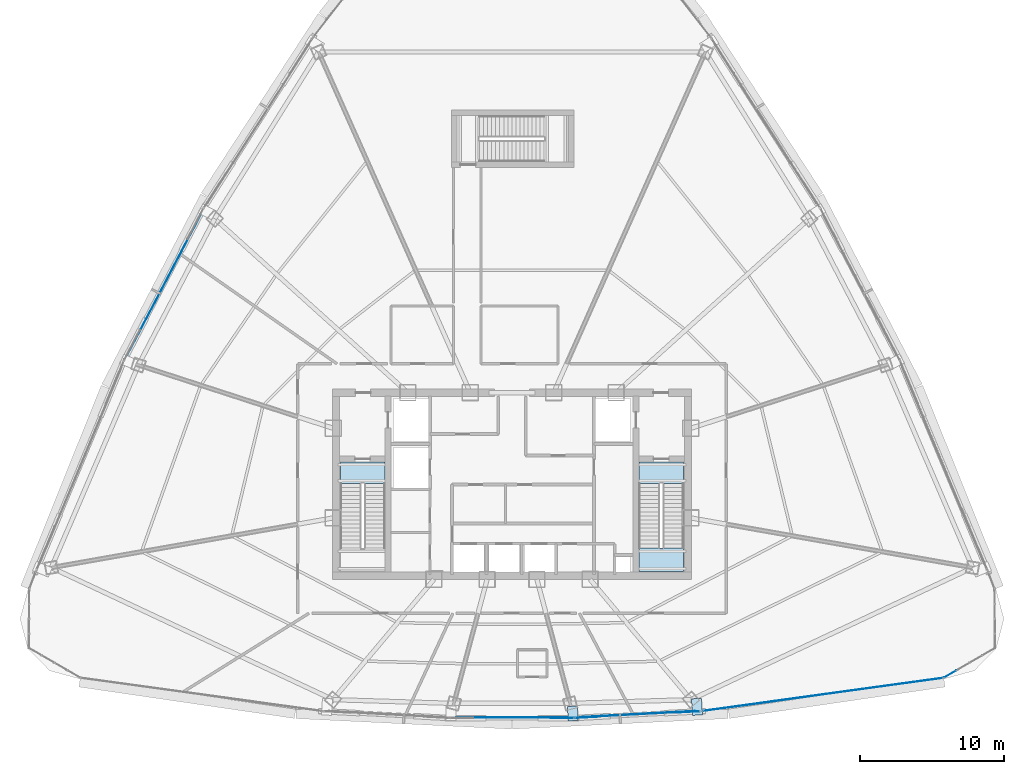
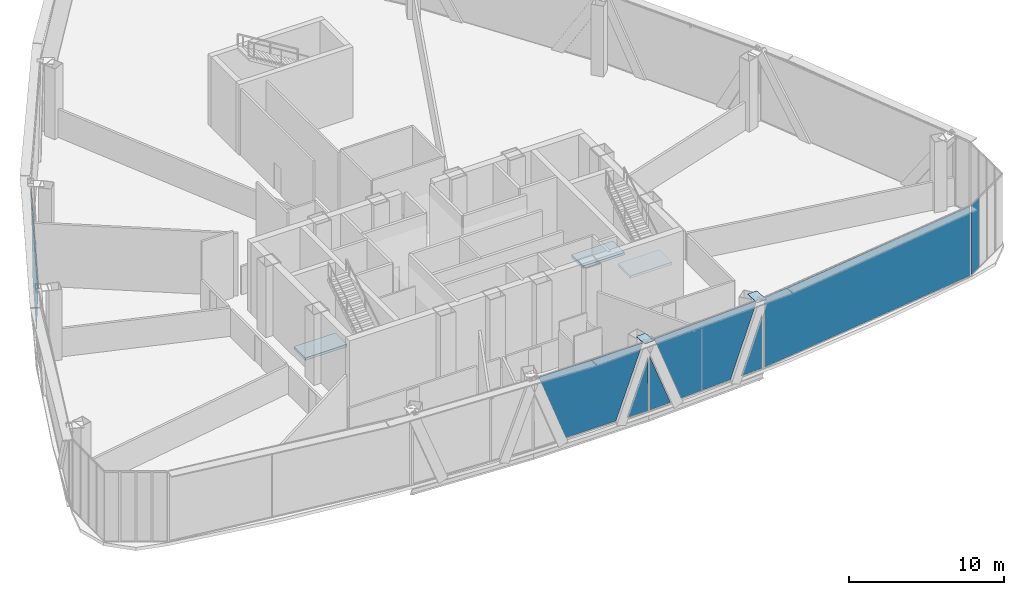
# One storey, part 29 of 38: 10 plates, 3 slabs, 7 elements without a shape of their own.
"""IFC4 building model written with IfcOpenShell, lengths in metres."""

import ifcopenshell
import ifcopenshell.guid

model = None  # the IFC model being written
_history = None  # IfcOwnerHistory: only IFC2X3 demands one
_inside = {}  # id of a spatial element -> (the spatial element, [elements in it])
_under = {}  # id of a project, library or spatial element -> (it, [spatial elements below it])
_declared = {}  # id of a project -> (the project, [libraries it declares])
_typed = {}  # id of a type object -> (the type object, [elements of that type])
_made_of = {}  # id of a material, layer set ... -> (it, [elements and type objects made of it])


def new_model(schema):
    """Start an empty IFC model of exactly this schema.

    Asked for "IFC4X3", IfcOpenShell would pick the latest addendum, in which some entities
    have other attributes; the version numbers below select the first issue.
    IFC2X3 requires an IfcOwnerHistory on every rooted entity: one is made here for all.
    """
    global model, _history
    if schema == "IFC4X3":
        model = ifcopenshell.file(schema_version=(4, 3, 0, 0))
    else:
        model = ifcopenshell.file(schema=schema)
    _inside.clear()
    _under.clear()
    _declared.clear()
    _typed.clear()
    _made_of.clear()
    _history = None
    if model.schema == "IFC2X3":
        org = make("IfcOrganization", Name="unknown")
        user = make(
            "IfcPersonAndOrganization",
            ThePerson=make("IfcPerson", FamilyName="unknown"),
            TheOrganization=org,
        )
        app = make(
            "IfcApplication",
            ApplicationDeveloper=org,
            Version="unknown",
            ApplicationFullName="unknown",
            ApplicationIdentifier="unknown",
        )
        _history = make(
            "IfcOwnerHistory",
            OwningUser=user,
            OwningApplication=app,
            ChangeAction="ADDED",
            CreationDate=0,
        )
    return model


def make(cls, **values):
    """One entity of the class cls with the attributes given. An attribute that is None is left unset."""
    return model.create_entity(
        cls, **{name: value for name, value in values.items() if value is not None}
    )


def rooted(cls, **values):
    """An entity with a GlobalId (a new one), such as an element, a storey or a relation."""
    return make(cls, GlobalId=ifcopenshell.guid.new(), OwnerHistory=_history, **values)


def si_unit(unit_type, name, prefix=None):
    """IfcSIUnit, for example si_unit("LENGTHUNIT", "METRE", prefix="MILLI")."""
    return make("IfcSIUnit", UnitType=unit_type, Prefix=prefix, Name=name)


def assignment(units):
    """IfcUnitAssignment: the units of a project."""
    return None if units is None else make("IfcUnitAssignment", Units=units)


def point(xyz):
    """IfcCartesianPoint."""
    return None if xyz is None else make("IfcCartesianPoint", Coordinates=xyz)


def direction(xyz):
    """IfcDirection."""
    return None if xyz is None else make("IfcDirection", DirectionRatios=xyz)


def frame(location, z_axis=None, x_axis=None):
    """IfcAxis2Placement3D, a coordinate frame: its origin and axes. An axis left out is left unset."""
    return make(
        "IfcAxis2Placement3D",
        Location=point(location),
        Axis=direction(z_axis),
        RefDirection=direction(x_axis),
    )


def frame_2d(location, x_axis=None):
    """IfcAxis2Placement2D, a coordinate frame in the plane: its origin and x axis."""
    return make(
        "IfcAxis2Placement2D", Location=point(location), RefDirection=direction(x_axis)
    )


def origin():
    """The frame at (0, 0, 0) with its axes left unset."""
    return frame((0.0, 0.0, 0.0))


def origin_2d():
    """The frame at (0, 0) in the plane with its x axis left unset."""
    return frame_2d((0.0, 0.0))


def place(relative_to, where):
    """IfcLocalPlacement: puts the frame where relative to a parent placement (None: the world)."""
    return make(
        "IfcLocalPlacement", PlacementRelTo=relative_to, RelativePlacement=where
    )


def context(
    kind, dimensions, precision=None, world=None, true_north=None, identifier=None
):
    """IfcGeometricRepresentationContext, for example the 3D "Model" context."""
    return make(
        "IfcGeometricRepresentationContext",
        ContextIdentifier=identifier,
        ContextType=kind,
        CoordinateSpaceDimension=dimensions,
        Precision=precision,
        WorldCoordinateSystem=world,
        TrueNorth=true_north,
    )


def subcontext(parent, identifier, kind, view, scale=None):
    """IfcGeometricRepresentationSubContext, for example "Body" below "Model"."""
    return make(
        "IfcGeometricRepresentationSubContext",
        ContextIdentifier=identifier,
        ContextType=kind,
        ParentContext=parent,
        TargetScale=scale,
        TargetView=view,
    )


def project(units=None, contexts=None):
    """IfcProject with its units and contexts."""
    return rooted(
        "IfcProject",
        Name="project",
        RepresentationContexts=contexts,
        UnitsInContext=assignment(units),
    )


def spatial(cls, under=None, at=None, **own):
    """A site, building, storey or space (cls), placed at a placement, below another one or the project."""
    s = rooted(cls, ObjectPlacement=at, **own)
    if under is not None:
        _under.setdefault(under.id(), (under, []))[1].append(s)
    return s


def polyline(points):
    """IfcPolyline through the points."""
    return make("IfcPolyline", Points=[point(p) for p in points])


def profile(cls, at=None, kind="AREA", **sizes):
    """A parametric profile (cls). Its sizes go by their IFC names, for example OverallWidth=200.0."""
    return make(cls, ProfileType=kind, Position=at, **sizes)


def rectangle(**sizes):
    """IfcRectangleProfileDef."""
    return profile("IfcRectangleProfileDef", **sizes)


def outline(outer, holes=None, kind="AREA"):
    """IfcArbitraryClosedProfileDef: a profile drawn as a closed curve; with holes, ...WithVoids."""
    if holes is None:
        return make("IfcArbitraryClosedProfileDef", ProfileType=kind, OuterCurve=outer)
    return make(
        "IfcArbitraryProfileDefWithVoids",
        ProfileType=kind,
        OuterCurve=outer,
        InnerCurves=holes,
    )


def extrude(swept, where, along, depth):
    """IfcExtrudedAreaSolid: the profile swept, set in the frame where, extruded along a direction by depth."""
    return make(
        "IfcExtrudedAreaSolid",
        SweptArea=swept,
        Position=where,
        ExtrudedDirection=direction(along),
        Depth=depth,
    )


def shape(context_of_items, identifier, shape_type, items):
    """IfcShapeRepresentation: the items that make up one representation, for example the "Body"."""
    return make(
        "IfcShapeRepresentation",
        ContextOfItems=context_of_items,
        RepresentationIdentifier=identifier,
        RepresentationType=shape_type,
        Items=items,
    )


def source(mapping_origin, context_of_items, identifier, shape_type, items):
    """IfcRepresentationMap: a shape defined once, which mapped items show again and again."""
    return make(
        "IfcRepresentationMap",
        MappingOrigin=mapping_origin,
        MappedRepresentation=shape(context_of_items, identifier, shape_type, items),
    )


def transform(
    local_origin,
    x_axis=None,
    y_axis=None,
    z_axis=None,
    scale=None,
    scale2=None,
    scale3=None,
    uniform=True,
):
    """IfcCartesianTransformationOperator3D, or its non-uniform kind. x_axis, y_axis, z_axis: its Axis1, 2, 3."""
    if uniform:
        return make(
            "IfcCartesianTransformationOperator3D",
            Axis1=direction(x_axis),
            Axis2=direction(y_axis),
            LocalOrigin=point(local_origin),
            Scale=scale,
            Axis3=direction(z_axis),
        )
    return make(
        "IfcCartesianTransformationOperator3DnonUniform",
        Axis1=direction(x_axis),
        Axis2=direction(y_axis),
        LocalOrigin=point(local_origin),
        Scale=scale,
        Axis3=direction(z_axis),
        Scale2=scale2,
        Scale3=scale3,
    )


def mapped(mapping_source, mapping_target):
    """IfcMappedItem: shows the shape of a source again, moved by a transform."""
    return make(
        "IfcMappedItem", MappingSource=mapping_source, MappingTarget=mapping_target
    )


def material(Name=None, Category=None):
    """IfcMaterial."""
    return make("IfcMaterial", Name=Name, Category=Category)


def layer(
    of_material, thickness, ventilated=None, Name=None, Category=None, Priority=None
):
    """IfcMaterialLayer: one layer of a wall or slab, of a material (None: an air gap)."""
    return make(
        "IfcMaterialLayer",
        Material=of_material,
        LayerThickness=thickness,
        IsVentilated=ventilated,
        Name=Name,
        Category=Category,
        Priority=Priority,
    )


def layer_set(layers, Name=None):
    """IfcMaterialLayerSet."""
    return make("IfcMaterialLayerSet", MaterialLayers=layers, LayerSetName=Name)


def made_of(thing, what):
    """Note that an element or type object is made of a material, layer set ...; save() writes the relation."""
    if what is not None:
        _made_of.setdefault(what.id(), (what, []))[1].append(thing)
    return thing


def type_object(cls, material=None, **own):
    """A type object (cls), such as IfcWallType, which elements share."""
    return made_of(rooted(cls, **own), material)


def element(
    cls,
    number,
    at=None,
    inside=None,
    cuts=None,
    type_object=None,
    material=None,
    context=None,
    identifier="Body",
    shape_type=None,
    held_by="IfcProductDefinitionShape",
    body=None,
    shapes=None,
    **own,
):
    """One element of the class cls, such as IfcWall. Its Tag is "e" and its number.

    at: its placement. inside: the storey or other place that contains it. cuts: it is an
    opening in that element (IfcRelVoidsElement). A single representation is given by context,
    identifier, shape_type and body (its items); several are given by shapes. held_by: the class
    of the entity that holds the representations. save() writes the other relations.
    """
    e = rooted(cls, Tag="e%d" % number, ObjectPlacement=at, **own)
    if body is not None:
        shapes = [shape(context, identifier, shape_type, body)]
    if shapes is not None:
        e.Representation = make(held_by, Representations=shapes)
    if inside is not None:
        _inside.setdefault(inside.id(), (inside, []))[1].append(e)
    if cuts is not None:
        rooted(
            "IfcRelVoidsElement", RelatingBuildingElement=cuts, RelatedOpeningElement=e
        )
    if type_object is not None:
        _typed.setdefault(type_object.id(), (type_object, []))[1].append(e)
    return made_of(e, material)


def aggregate(whole, parts):
    """IfcRelAggregates: a whole, such as a stair, and the parts it consists of."""
    return rooted("IfcRelAggregates", RelatingObject=whole, RelatedObjects=parts)


def save(model, path):
    """Write the relations noted so far, then the file.

    IfcRelAggregates (storeys below a building ...), IfcRelContainedInSpatialStructure (elements
    in a storey), IfcRelDefinesByType, IfcRelAssociatesMaterial and IfcRelDeclares: one each for
    every whole, place, type object, material and project.
    """
    for whole, parts in _under.values():
        aggregate(whole, parts)
    for where, things in _inside.values():
        rooted(
            "IfcRelContainedInSpatialStructure",
            RelatedElements=things,
            RelatingStructure=where,
        )
    for kind, things in _typed.values():
        rooted("IfcRelDefinesByType", RelatedObjects=things, RelatingType=kind)
    for what, things in _made_of.values():
        rooted("IfcRelAssociatesMaterial", RelatedObjects=things, RelatingMaterial=what)
    for by, libraries in _declared.values():
        rooted("IfcRelDeclares", RelatingContext=by, RelatedDefinitions=libraries)
    model.write(path)


model = new_model("IFC4")

# Units and contexts
model_context = context("Model", 3, precision=1e-05, world=origin(), true_north=direction((0.0, 1.0)))
body_context = subcontext(model_context, "Body", "Model", "MODEL_VIEW")
ifc_project = project(units=[si_unit("LENGTHUNIT", "METRE"), si_unit("AREAUNIT", "SQUARE_METRE"), si_unit("VOLUMEUNIT", "CUBIC_METRE"), si_unit("PLANEANGLEUNIT", "RADIAN"), si_unit("MASSUNIT", "GRAM", prefix="KILO"), si_unit("THERMODYNAMICTEMPERATUREUNIT", "KELVIN"), si_unit("POWERUNIT", "WATT")], contexts=[model_context])

# Site, building, storey
site_placement = place(None, origin())
site = spatial("IfcSite", under=ifc_project, at=site_placement, CompositionType="ELEMENT")
building_placement = place(site_placement, origin())
building = spatial("IfcBuilding", under=site, at=building_placement, Name="Yunzhuo Pagoda Commons", CompositionType="ELEMENT")
storey_placement = place(building_placement, frame((0.0, 0.0, 266.909912109375)))
storey = spatial("IfcBuildingStorey", under=building, at=storey_placement, Name="L67", CompositionType="ELEMENT", Elevation=266.909912109375)

# Curtain wall, plates
ifc_material_1 = material(Name="Anodized aluminium 6063-T6", Category="aluminium")
ifc_layer_1 = layer(ifc_material_1, 0.139892578125)
ifc_layer_set_1 = layer_set([ifc_layer_1], Name="Anodized aluminium 6063-T6")
curtain_wall_type_1 = type_object("IfcCurtainWallType", Name="CW-HI High-Zone Ribbon Curtain Wall", PredefinedType="NOTDEFINED", material=ifc_layer_set_1)
curtain_wall_1_placement = place(storey_placement, origin())
curtain_wall_1 = element("IfcCurtainWall", 1, at=curtain_wall_1_placement, inside=storey, type_object=curtain_wall_type_1, Name="L67 curtain wall CW-L67-F1B3", PredefinedType="NOTDEFINED")
ifc_material_2 = material(Name="Tempered low-e double glazing", Category="glass")
ifc_layer_2 = layer(ifc_material_2, 0.02587890625)
ifc_layer_set_2 = layer_set([ifc_layer_2], Name="Tempered low-e double glazing")
plate_type_1 = type_object("IfcPlateType", Name="CW-HI-P Low-E Double Glazing 26", PredefinedType="CURTAIN_PANEL", material=ifc_layer_set_2)
plate_1_placement = place(storey_placement, frame((48.0, 17.68359375, 2.78515625), z_axis=(0.0, -1.0, 0.0), x_axis=(1.0, 0.0, 0.0)))
plate_1 = element("IfcPlate", 2, at=plate_1_placement, type_object=plate_type_1, Name="CW panel 1.1 lite 2", PredefinedType="CURTAIN_PANEL", context=body_context, shape_type="SweptSolid", body=[
    extrude(outline(polyline([(-3.8779296875, 2.72998046875), (-1.86279296875, -2.72998046875), (1.86279296875, -2.72998046875), (3.8779296875, 2.72998046875), (-3.8779296875, 2.72998046875)])), origin(), (0.0, 0.0, 1.0), 0.028076171875),
])
plate_2_placement = place(storey_placement, frame((51.458251953125, 17.65380859375, 2.182373046875), z_axis=(0.0, -1.0, 0.0), x_axis=(1.0, 0.0, 0.0)))
plate_2 = element("IfcPlate", 3, at=plate_2_placement, type_object=plate_type_1, Name="CW panel 1.1 lite 3", PredefinedType="CURTAIN_PANEL", context=body_context, shape_type="SweptSolid", body=[
    extrude(outline(polyline([(-0.78515625, -2.12744140625), (0.78515625, -2.12744140625), (0.78515625, 2.12744140625), (-0.78515625, -2.12744140625)])), origin(), (0.0, 0.0, 1.0), 0.028076171875),
])
aggregate(curtain_wall_1, [plate_1, plate_2])

curtain_wall_2_placement = place(storey_placement, origin())
curtain_wall_2 = element("IfcCurtainWall", 4, at=curtain_wall_2_placement, inside=storey, type_object=curtain_wall_type_1, Name="L67 curtain wall CW-L67-F1B4", PredefinedType="NOTDEFINED")
plate_3_placement = place(storey_placement, frame((53.167724609375, 17.699951171875, 2.1943359375), z_axis=(0.053427477858, -0.998571732331, 0.0), x_axis=(0.998571732331, 0.053427477858, 0.0)))
plate_3 = element("IfcPlate", 5, at=plate_3_placement, type_object=plate_type_1, Name="CW panel 1.1 lite 1", PredefinedType="CURTAIN_PANEL", context=body_context, shape_type="SweptSolid", body=[
    extrude(outline(polyline([(-0.806396484375, -2.139404296875), (0.806396484375, -2.139404296875), (-0.806396484375, 2.139404296875), (-0.806396484375, -2.139404296875)])), origin(), (0.0, 0.0, 1.0), 0.028076171875),
])
plate_4_placement = place(storey_placement, frame((56.6904296875, 17.91845703125, 2.78515625), z_axis=(0.053427477858, -0.998571732331, 0.0), x_axis=(0.998571732331, 0.053427477858, 0.0)))
plate_4 = element("IfcPlate", 6, at=plate_4_placement, type_object=plate_type_1, Name="CW panel 1.1 lite 2", PredefinedType="CURTAIN_PANEL", context=body_context, shape_type="SweptSolid", body=[
    extrude(outline(polyline([(-3.96875, 2.72998046875), (-1.910400390625, -2.72998046875), (1.910400390625, -2.72998046875), (3.96875, 2.72998046875), (-3.96875, 2.72998046875)])), origin(), (0.0, 0.0, 1.0), 0.028076171875),
])
plate_5_placement = place(storey_placement, frame((60.216064453125, 18.076904296875, 2.1943359375), z_axis=(0.053427477858, -0.998571732331, 0.0), x_axis=(0.998571732331, 0.053427477858, 0.0)))
plate_5 = element("IfcPlate", 7, at=plate_5_placement, type_object=plate_type_1, Name="CW panel 1.1 lite 3", PredefinedType="CURTAIN_PANEL", context=body_context, shape_type="SweptSolid", body=[
    extrude(outline(polyline([(-0.806396484375, -2.139404296875), (0.806396484375, -2.139404296875), (0.806396484375, 2.139404296875), (-0.806396484375, -2.139404296875)])), origin(), (0.0, 0.0, 1.0), 0.028076171875),
])
aggregate(curtain_wall_2, [plate_3, plate_4, plate_5])

# Curtain wall, plate
curtain_wall_3_placement = place(storey_placement, origin())
curtain_wall_3 = element("IfcCurtainWall", 8, at=curtain_wall_3_placement, inside=storey, type_object=curtain_wall_type_1, Name="L67 curtain wall CW-L67-F3B3", PredefinedType="NOTDEFINED")
plate_6_placement = place(storey_placement, frame((23.894287109375, 47.679931640625, 2.78515625), z_axis=(-0.886066126675, 0.46355886267, 0.0), x_axis=(-0.46355886267, -0.886066126675, 0.0)))
plate_6 = element("IfcPlate", 9, at=plate_6_placement, type_object=plate_type_1, Name="CW panel 1.1 lite 2", PredefinedType="CURTAIN_PANEL", context=body_context, shape_type="SweptSolid", body=[
    extrude(outline(polyline([(-5.483154296875, 2.72998046875), (-2.702880859375, -2.72998046875), (2.702880859375, -2.72998046875), (5.483154296875, 2.72998046875), (-5.483154296875, 2.72998046875)])), origin(), (0.0, 0.0, 1.0), 0.028076171875),
])
aggregate(curtain_wall_3, [plate_6])

# Stair, slab
ifc_material_3 = material(Name="Concrete C40", Category="concrete")
stair_type_1 = type_object("IfcStairType", Name="ST-C1 Core Smokeproof Stair ST1", PredefinedType="HALF_TURN_STAIR", material=ifc_material_3)
stair_1_placement = place(storey_placement, origin())
stair_1 = element("IfcStair", 10, at=stair_1_placement, inside=storey, type_object=stair_type_1, Name="L67 Core smokeproof stair ST1", PredefinedType="HALF_TURN_STAIR")
ifc_layer_3 = layer(ifc_material_3, 0.199951171875)
ifc_layer_set_3 = layer_set([ifc_layer_3], Name="Concrete C40")
slab_type_1 = type_object("IfcSlabType", Name="SL-LND1 Stair Landing Slab 200", PredefinedType="LANDING", material=ifc_layer_set_3)
slab_1_placement = place(storey_placement, frame((0.0, 0.0, -0.199951171875)))
slab_1 = element("IfcSlab", 11, at=slab_1_placement, type_object=slab_type_1, Name="ST1 floor landing L67", PredefinedType="LANDING", context=body_context, shape_type="SweptSolid", body=[
    extrude(outline(polyline([(36.10009765625, 35.39990234375), (36.10009765625, 33.89990234375), (39.199951171875, 33.89990234375), (39.199951171875, 35.39990234375), (36.10009765625, 35.39990234375)])), origin(), (0.0, 0.0, 1.0), 0.199951171875),
])
aggregate(stair_1, [slab_1])

# Stair, slabs
stair_type_2 = type_object("IfcStairType", Name="ST-C2 Core Smokeproof Stair ST2", PredefinedType="HALF_TURN_STAIR", material=ifc_material_3)
stair_2_placement = place(storey_placement, origin())
stair_2 = element("IfcStair", 12, at=stair_2_placement, inside=storey, type_object=stair_type_2, Name="L67 Core smokeproof stair ST2", PredefinedType="HALF_TURN_STAIR")
ifc_layer_4 = layer(ifc_material_3, 0.201904296875)
ifc_layer_set_4 = layer_set([ifc_layer_4], Name="Concrete C40")
slab_type_2 = type_object("IfcSlabType", Name="SL-LND2 Stair Landing Slab 202", PredefinedType="LANDING", material=ifc_layer_set_4)
slab_2_placement = place(storey_placement, frame((0.0, 0.0, 2.72509765625)))
slab_2 = element("IfcSlab", 13, at=slab_2_placement, type_object=slab_type_2, Name="ST2 landing 1", PredefinedType="LANDING", context=body_context, shape_type="SweptSolid", body=[
    extrude(outline(polyline([(56.800048828125, 29.419921875), (56.800048828125, 27.800048828125), (59.89990234375, 27.800048828125), (59.89990234375, 29.419921875), (56.800048828125, 29.419921875)])), origin(), (0.0, 0.0, 1.0), 0.199951171875),
])
slab_3_placement = place(storey_placement, frame((0.0, 0.0, -0.199951171875)))
slab_3 = element("IfcSlab", 14, at=slab_3_placement, type_object=slab_type_2, Name="ST2 floor landing L67", PredefinedType="LANDING", context=body_context, shape_type="SweptSolid", body=[
    extrude(outline(polyline([(56.800048828125, 35.39990234375), (56.800048828125, 33.89990234375), (59.89990234375, 33.89990234375), (59.89990234375, 35.39990234375), (56.800048828125, 35.39990234375)])), origin(), (0.0, 0.0, 1.0), 0.199951171875),
])
aggregate(stair_2, [slab_2, slab_3])

# Plates
ifc_material_4 = material(Name="Structural steel Q355B", Category="steel")
ifc_layer_5 = layer(ifc_material_4, 0.028076171875)
ifc_layer_set_5 = layer_set([ifc_layer_5], Name="Structural steel Q355B")
plate_type_2 = type_object("IfcPlateType", Name="SP-ND1 Lattice Node Cap Plate 800x500x28", PredefinedType="USERDEFINED", material=ifc_layer_set_5)
shared_shape_1 = source(origin(), body_context, "Body", "SweptSolid", [
    extrude(rectangle(XDim=0.699951171875, YDim=1.148681640625, at=origin_2d()), origin(), (0.0, 0.0, 1.0), 0.035888671875),
])
plate_7_placement = place(storey_placement, frame((60.825439453125, 18.415283203125, 5.5322265625), z_axis=(0.0, 0.0, 1.0), x_axis=(0.998571384692, 0.053433974907, 0.0)))
element("IfcPlate", 15, at=plate_7_placement, inside=storey, type_object=plate_type_2, Name="L67 setback lattice tie plate F1.3R", ObjectType="STIFFENER_PLATE", PredefinedType="USERDEFINED", context=body_context, shape_type="MappedRepresentation", body=[
    mapped(shared_shape_1, transform((0.0, 0.0, 0.0), scale=1.0)),
])
shared_shape_2 = source(origin(), body_context, "Body", "SweptSolid", [
    extrude(rectangle(XDim=0.699951171875, YDim=1.0078125, at=origin_2d()), origin(), (0.0, 0.0, 1.0), 0.035888671875),
])
plate_8_placement = place(storey_placement, frame((52.21826171875, 17.95751953125, 5.5322265625), z_axis=(0.0, 0.0, 1.0), x_axis=(0.998571384692, 0.053433974907, 0.0)))
element("IfcPlate", 16, at=plate_8_placement, inside=storey, type_object=plate_type_2, Name="L67 setback lattice tie plate F1.3L", ObjectType="STIFFENER_PLATE", PredefinedType="USERDEFINED", context=body_context, shape_type="MappedRepresentation", body=[
    mapped(shared_shape_2, transform((0.0, 0.0, 0.0), scale=1.0)),
])

# Curtain wall, plate
curtain_wall_4_placement = place(storey_placement, origin())
curtain_wall_4 = element("IfcCurtainWall", 17, at=curtain_wall_4_placement, inside=storey, type_object=curtain_wall_type_1, Name="L67 curtain wall CW-L67-F1B5", PredefinedType="NOTDEFINED")
shared_shape_3 = source(origin(), body_context, "Body", "SweptSolid", [
    extrude(rectangle(XDim=16.80810546875, YDim=0.028076171875, at=origin_2d()), origin(), (0.0, 0.0, 1.0), 5.4599609375),
])
plate_9_placement = place(storey_placement, frame((69.541748046875, 19.271484375, 0.05517578125), z_axis=(0.0, 0.0, 1.0), x_axis=(0.990695234776, 0.136099051399, 0.0)))
plate_9 = element("IfcPlate", 18, at=plate_9_placement, type_object=plate_type_1, Name="CW panel 1.1", PredefinedType="CURTAIN_PANEL", context=body_context, shape_type="MappedRepresentation", body=[
    mapped(shared_shape_3, transform((0.0, 0.0, 0.0), scale=1.0)),
])
aggregate(curtain_wall_4, [plate_9])

ifc_layer_6 = layer(ifc_material_1, 0.1298828125)
ifc_layer_set_6 = layer_set([ifc_layer_6], Name="Anodized aluminium 6063-T6")
curtain_wall_type_2 = type_object("IfcCurtainWallType", Name="CW-VTX Rounded Corner Curtain Wall", PredefinedType="NOTDEFINED", material=ifc_layer_set_6)
curtain_wall_5_placement = place(storey_placement, origin())
curtain_wall_5 = element("IfcCurtainWall", 19, at=curtain_wall_5_placement, inside=storey, type_object=curtain_wall_type_2, Name="L67 curtain wall CW-L67-VTX2S1", PredefinedType="NOTDEFINED")
ifc_layer_7 = layer(ifc_material_2, 0.02587890625)
ifc_layer_set_7 = layer_set([ifc_layer_7], Name="Tempered low-e double glazing")
plate_type_3 = type_object("IfcPlateType", Name="CW-VTX-P Low-E Double Glazing 26", PredefinedType="CURTAIN_PANEL", material=ifc_layer_set_7)
shared_shape_4 = source(origin(), body_context, "Body", "SweptSolid", [
    extrude(rectangle(XDim=0.955810546875, YDim=0.028076171875, at=origin_2d()), origin(), (0.0, 0.0, 1.0), 5.4599609375),
])
plate_10_placement = place(storey_placement, frame((78.38818359375, 20.6904296875, 0.05517578125), z_axis=(0.0, 0.0, 1.0), x_axis=(0.865431780539, 0.501026778958, 0.0)))
plate_10 = element("IfcPlate", 20, at=plate_10_placement, type_object=plate_type_3, Name="CW panel 1.1", PredefinedType="CURTAIN_PANEL", context=body_context, shape_type="MappedRepresentation", body=[
    mapped(shared_shape_4, transform((0.0, 0.0, 0.0), scale=1.0)),
])
aggregate(curtain_wall_5, [plate_10])

save(model, "model.ifc")
